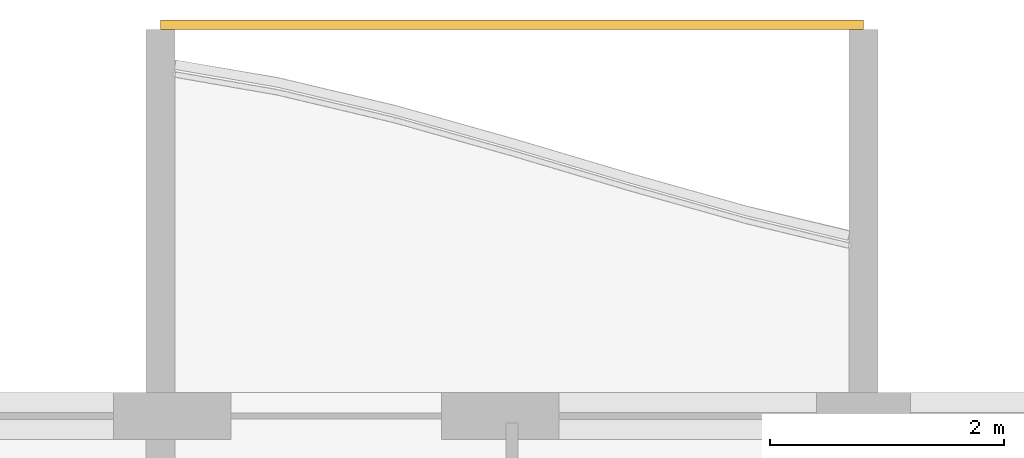
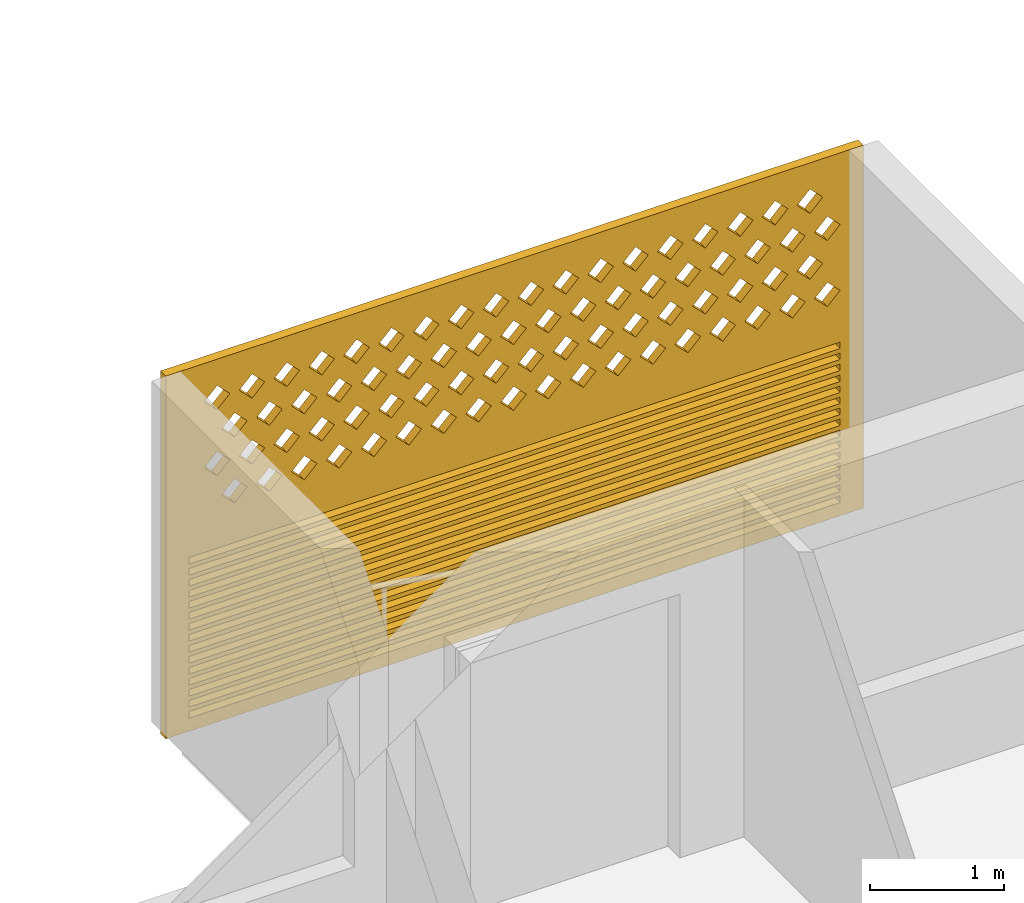
# One storey, part 21 of 27: 1 covering.
"""IFC4 building model written with IfcOpenShell, lengths in metres."""

from ifc_helpers import new_model, si_unit, direction, frame, origin, place, context, subcontext, project, spatial, polyline, outline, extrude, source, transform, mapped, material, material_profile, profile_set, type_object, element, save


model = new_model("IFC4")

# Units and contexts
model_context = context("Model", 3, precision=1e-05, world=origin(), true_north=direction((0.0, 1.0)))
body_context = subcontext(model_context, "Body", "Model", "MODEL_VIEW")
ifc_project = project(units=[si_unit("LENGTHUNIT", "METRE"), si_unit("AREAUNIT", "SQUARE_METRE"), si_unit("VOLUMEUNIT", "CUBIC_METRE"), si_unit("PLANEANGLEUNIT", "RADIAN"), si_unit("MASSUNIT", "GRAM", prefix="KILO")], contexts=[model_context])

# Site, building, storey
site_placement = place(None, origin())
site = spatial("IfcSite", under=ifc_project, at=site_placement, CompositionType="ELEMENT")
building_placement = place(site_placement, origin())
building = spatial("IfcBuilding", under=site, at=building_placement, Name="Poui Terraces", CompositionType="ELEMENT")
storey_placement = place(building_placement, frame((0.0, 0.0, 191.699951171875)))
storey = spatial("IfcBuildingStorey", under=building, at=storey_placement, Name="L53", CompositionType="ELEMENT", Elevation=191.699951171875)

# Covering
ifc_material = material(Name="Terracotta screen", Category="masonry")
ifc_material_profile = material_profile(ifc_material, outline(polyline([(-3.0, -1.64990234375), (3.0, -1.64990234375), (3.0, 1.64990234375), (-3.0, 1.64990234375), (-3.0, -1.64990234375)]), holes=[polyline([(-2.800048828125, 0.39990234375), (-2.68994140625, 0.2900390625), (-2.580078125, 0.39990234375), (-2.68994140625, 0.510009765625), (-2.800048828125, 0.39990234375)]), polyline([(-2.5, 0.39990234375), (-2.389892578125, 0.2900390625), (-2.280029296875, 0.39990234375), (-2.389892578125, 0.510009765625), (-2.5, 0.39990234375)]), polyline([(-2.199951171875, 0.39990234375), (-2.090087890625, 0.2900390625), (-1.97998046875, 0.39990234375), (-2.090087890625, 0.510009765625), (-2.199951171875, 0.39990234375)]), polyline([(-1.89990234375, 0.39990234375), (-1.7900390625, 0.2900390625), (-1.679931640625, 0.39990234375), (-1.7900390625, 0.510009765625), (-1.89990234375, 0.39990234375)]), polyline([(-1.60009765625, 0.39990234375), (-1.489990234375, 0.2900390625), (-1.3798828125, 0.39990234375), (-1.489990234375, 0.510009765625), (-1.60009765625, 0.39990234375)]), polyline([(-1.300048828125, 0.39990234375), (-1.18994140625, 0.2900390625), (-1.080078125, 0.39990234375), (-1.18994140625, 0.510009765625), (-1.300048828125, 0.39990234375)]), polyline([(-1.0, 0.39990234375), (-0.889892578125, 0.2900390625), (-0.780029296875, 0.39990234375), (-0.889892578125, 0.510009765625), (-1.0, 0.39990234375)]), polyline([(-0.699951171875, 0.39990234375), (-0.590087890625, 0.2900390625), (-0.47998046875, 0.39990234375), (-0.590087890625, 0.510009765625), (-0.699951171875, 0.39990234375)]), polyline([(-0.39990234375, 0.39990234375), (-0.2900390625, 0.2900390625), (-0.179931640625, 0.39990234375), (-0.2900390625, 0.510009765625), (-0.39990234375, 0.39990234375)]), polyline([(-0.10009765625, 0.39990234375), (0.010009765625, 0.2900390625), (0.1201171875, 0.39990234375), (0.010009765625, 0.510009765625), (-0.10009765625, 0.39990234375)]), polyline([(0.199951171875, 0.39990234375), (0.31005859375, 0.2900390625), (0.419921875, 0.39990234375), (0.31005859375, 0.510009765625), (0.199951171875, 0.39990234375)]), polyline([(0.5, 0.39990234375), (0.610107421875, 0.2900390625), (0.719970703125, 0.39990234375), (0.610107421875, 0.510009765625), (0.5, 0.39990234375)]), polyline([(0.800048828125, 0.39990234375), (0.909912109375, 0.2900390625), (1.02001953125, 0.39990234375), (0.909912109375, 0.510009765625), (0.800048828125, 0.39990234375)]), polyline([(1.10009765625, 0.39990234375), (1.2099609375, 0.2900390625), (1.320068359375, 0.39990234375), (1.2099609375, 0.510009765625), (1.10009765625, 0.39990234375)]), polyline([(1.39990234375, 0.39990234375), (1.510009765625, 0.2900390625), (1.6201171875, 0.39990234375), (1.510009765625, 0.510009765625), (1.39990234375, 0.39990234375)]), polyline([(1.699951171875, 0.39990234375), (1.81005859375, 0.2900390625), (1.919921875, 0.39990234375), (1.81005859375, 0.510009765625), (1.699951171875, 0.39990234375)]), polyline([(2.0, 0.39990234375), (2.110107421875, 0.2900390625), (2.219970703125, 0.39990234375), (2.110107421875, 0.510009765625), (2.0, 0.39990234375)]), polyline([(2.300048828125, 0.39990234375), (2.409912109375, 0.2900390625), (2.52001953125, 0.39990234375), (2.409912109375, 0.510009765625), (2.300048828125, 0.39990234375)]), polyline([(-2.64990234375, 0.699951171875), (-2.5400390625, 0.590087890625), (-2.429931640625, 0.699951171875), (-2.5400390625, 0.81005859375), (-2.64990234375, 0.699951171875)]), polyline([(-2.35009765625, 0.699951171875), (-2.239990234375, 0.590087890625), (-2.1298828125, 0.699951171875), (-2.239990234375, 0.81005859375), (-2.35009765625, 0.699951171875)]), polyline([(-2.050048828125, 0.699951171875), (-1.93994140625, 0.590087890625), (-1.830078125, 0.699951171875), (-1.93994140625, 0.81005859375), (-2.050048828125, 0.699951171875)]), polyline([(-1.75, 0.699951171875), (-1.639892578125, 0.590087890625), (-1.530029296875, 0.699951171875), (-1.639892578125, 0.81005859375), (-1.75, 0.699951171875)]), polyline([(-1.449951171875, 0.699951171875), (-1.340087890625, 0.590087890625), (-1.22998046875, 0.699951171875), (-1.340087890625, 0.81005859375), (-1.449951171875, 0.699951171875)]), polyline([(-1.14990234375, 0.699951171875), (-1.0400390625, 0.590087890625), (-0.929931640625, 0.699951171875), (-1.0400390625, 0.81005859375), (-1.14990234375, 0.699951171875)]), polyline([(-0.85009765625, 0.699951171875), (-0.739990234375, 0.590087890625), (-0.6298828125, 0.699951171875), (-0.739990234375, 0.81005859375), (-0.85009765625, 0.699951171875)]), polyline([(-0.550048828125, 0.699951171875), (-0.43994140625, 0.590087890625), (-0.330078125, 0.699951171875), (-0.43994140625, 0.81005859375), (-0.550048828125, 0.699951171875)]), polyline([(-0.25, 0.699951171875), (-0.139892578125, 0.590087890625), (-0.030029296875, 0.699951171875), (-0.139892578125, 0.81005859375), (-0.25, 0.699951171875)]), polyline([(0.050048828125, 0.699951171875), (0.159912109375, 0.590087890625), (0.27001953125, 0.699951171875), (0.159912109375, 0.81005859375), (0.050048828125, 0.699951171875)]), polyline([(0.35009765625, 0.699951171875), (0.4599609375, 0.590087890625), (0.570068359375, 0.699951171875), (0.4599609375, 0.81005859375), (0.35009765625, 0.699951171875)]), polyline([(0.64990234375, 0.699951171875), (0.760009765625, 0.590087890625), (0.8701171875, 0.699951171875), (0.760009765625, 0.81005859375), (0.64990234375, 0.699951171875)]), polyline([(0.949951171875, 0.699951171875), (1.06005859375, 0.590087890625), (1.169921875, 0.699951171875), (1.06005859375, 0.81005859375), (0.949951171875, 0.699951171875)]), polyline([(1.25, 0.699951171875), (1.360107421875, 0.590087890625), (1.469970703125, 0.699951171875), (1.360107421875, 0.81005859375), (1.25, 0.699951171875)]), polyline([(1.550048828125, 0.699951171875), (1.659912109375, 0.590087890625), (1.77001953125, 0.699951171875), (1.659912109375, 0.81005859375), (1.550048828125, 0.699951171875)]), polyline([(1.85009765625, 0.699951171875), (1.9599609375, 0.590087890625), (2.070068359375, 0.699951171875), (1.9599609375, 0.81005859375), (1.85009765625, 0.699951171875)]), polyline([(2.14990234375, 0.699951171875), (2.260009765625, 0.590087890625), (2.3701171875, 0.699951171875), (2.260009765625, 0.81005859375), (2.14990234375, 0.699951171875)]), polyline([(2.449951171875, 0.699951171875), (2.56005859375, 0.590087890625), (2.669921875, 0.699951171875), (2.56005859375, 0.81005859375), (2.449951171875, 0.699951171875)]), polyline([(-2.800048828125, 1.0), (-2.68994140625, 0.889892578125), (-2.580078125, 1.0), (-2.68994140625, 1.110107421875), (-2.800048828125, 1.0)]), polyline([(-2.5, 1.0), (-2.389892578125, 0.889892578125), (-2.280029296875, 1.0), (-2.389892578125, 1.110107421875), (-2.5, 1.0)]), polyline([(-2.199951171875, 1.0), (-2.090087890625, 0.889892578125), (-1.97998046875, 1.0), (-2.090087890625, 1.110107421875), (-2.199951171875, 1.0)]), polyline([(-1.89990234375, 1.0), (-1.7900390625, 0.889892578125), (-1.679931640625, 1.0), (-1.7900390625, 1.110107421875), (-1.89990234375, 1.0)]), polyline([(-1.60009765625, 1.0), (-1.489990234375, 0.889892578125), (-1.3798828125, 1.0), (-1.489990234375, 1.110107421875), (-1.60009765625, 1.0)]), polyline([(-1.300048828125, 1.0), (-1.18994140625, 0.889892578125), (-1.080078125, 1.0), (-1.18994140625, 1.110107421875), (-1.300048828125, 1.0)]), polyline([(-1.0, 1.0), (-0.889892578125, 0.889892578125), (-0.780029296875, 1.0), (-0.889892578125, 1.110107421875), (-1.0, 1.0)]), polyline([(-0.699951171875, 1.0), (-0.590087890625, 0.889892578125), (-0.47998046875, 1.0), (-0.590087890625, 1.110107421875), (-0.699951171875, 1.0)]), polyline([(-0.39990234375, 1.0), (-0.2900390625, 0.889892578125), (-0.179931640625, 1.0), (-0.2900390625, 1.110107421875), (-0.39990234375, 1.0)]), polyline([(-0.10009765625, 1.0), (0.010009765625, 0.889892578125), (0.1201171875, 1.0), (0.010009765625, 1.110107421875), (-0.10009765625, 1.0)]), polyline([(0.199951171875, 1.0), (0.31005859375, 0.889892578125), (0.419921875, 1.0), (0.31005859375, 1.110107421875), (0.199951171875, 1.0)]), polyline([(0.5, 1.0), (0.610107421875, 0.889892578125), (0.719970703125, 1.0), (0.610107421875, 1.110107421875), (0.5, 1.0)]), polyline([(0.800048828125, 1.0), (0.909912109375, 0.889892578125), (1.02001953125, 1.0), (0.909912109375, 1.110107421875), (0.800048828125, 1.0)]), polyline([(1.10009765625, 1.0), (1.2099609375, 0.889892578125), (1.320068359375, 1.0), (1.2099609375, 1.110107421875), (1.10009765625, 1.0)]), polyline([(1.39990234375, 1.0), (1.510009765625, 0.889892578125), (1.6201171875, 1.0), (1.510009765625, 1.110107421875), (1.39990234375, 1.0)]), polyline([(1.699951171875, 1.0), (1.81005859375, 0.889892578125), (1.919921875, 1.0), (1.81005859375, 1.110107421875), (1.699951171875, 1.0)]), polyline([(2.0, 1.0), (2.110107421875, 0.889892578125), (2.219970703125, 1.0), (2.110107421875, 1.110107421875), (2.0, 1.0)]), polyline([(2.300048828125, 1.0), (2.409912109375, 0.889892578125), (2.52001953125, 1.0), (2.409912109375, 1.110107421875), (2.300048828125, 1.0)]), polyline([(-2.64990234375, 1.300048828125), (-2.5400390625, 1.18994140625), (-2.429931640625, 1.300048828125), (-2.5400390625, 1.409912109375), (-2.64990234375, 1.300048828125)]), polyline([(-2.35009765625, 1.300048828125), (-2.239990234375, 1.18994140625), (-2.1298828125, 1.300048828125), (-2.239990234375, 1.409912109375), (-2.35009765625, 1.300048828125)]), polyline([(-2.050048828125, 1.300048828125), (-1.93994140625, 1.18994140625), (-1.830078125, 1.300048828125), (-1.93994140625, 1.409912109375), (-2.050048828125, 1.300048828125)]), polyline([(-1.75, 1.300048828125), (-1.639892578125, 1.18994140625), (-1.530029296875, 1.300048828125), (-1.639892578125, 1.409912109375), (-1.75, 1.300048828125)]), polyline([(-1.449951171875, 1.300048828125), (-1.340087890625, 1.18994140625), (-1.22998046875, 1.300048828125), (-1.340087890625, 1.409912109375), (-1.449951171875, 1.300048828125)]), polyline([(-1.14990234375, 1.300048828125), (-1.0400390625, 1.18994140625), (-0.929931640625, 1.300048828125), (-1.0400390625, 1.409912109375), (-1.14990234375, 1.300048828125)]), polyline([(-0.85009765625, 1.300048828125), (-0.739990234375, 1.18994140625), (-0.6298828125, 1.300048828125), (-0.739990234375, 1.409912109375), (-0.85009765625, 1.300048828125)]), polyline([(-0.550048828125, 1.300048828125), (-0.43994140625, 1.18994140625), (-0.330078125, 1.300048828125), (-0.43994140625, 1.409912109375), (-0.550048828125, 1.300048828125)]), polyline([(-0.25, 1.300048828125), (-0.139892578125, 1.18994140625), (-0.030029296875, 1.300048828125), (-0.139892578125, 1.409912109375), (-0.25, 1.300048828125)]), polyline([(0.050048828125, 1.300048828125), (0.159912109375, 1.18994140625), (0.27001953125, 1.300048828125), (0.159912109375, 1.409912109375), (0.050048828125, 1.300048828125)]), polyline([(0.35009765625, 1.300048828125), (0.4599609375, 1.18994140625), (0.570068359375, 1.300048828125), (0.4599609375, 1.409912109375), (0.35009765625, 1.300048828125)]), polyline([(0.64990234375, 1.300048828125), (0.760009765625, 1.18994140625), (0.8701171875, 1.300048828125), (0.760009765625, 1.409912109375), (0.64990234375, 1.300048828125)]), polyline([(0.949951171875, 1.300048828125), (1.06005859375, 1.18994140625), (1.169921875, 1.300048828125), (1.06005859375, 1.409912109375), (0.949951171875, 1.300048828125)]), polyline([(1.25, 1.300048828125), (1.360107421875, 1.18994140625), (1.469970703125, 1.300048828125), (1.360107421875, 1.409912109375), (1.25, 1.300048828125)]), polyline([(1.550048828125, 1.300048828125), (1.659912109375, 1.18994140625), (1.77001953125, 1.300048828125), (1.659912109375, 1.409912109375), (1.550048828125, 1.300048828125)]), polyline([(1.85009765625, 1.300048828125), (1.9599609375, 1.18994140625), (2.070068359375, 1.300048828125), (1.9599609375, 1.409912109375), (1.85009765625, 1.300048828125)]), polyline([(2.14990234375, 1.300048828125), (2.260009765625, 1.18994140625), (2.3701171875, 1.300048828125), (2.260009765625, 1.409912109375), (2.14990234375, 1.300048828125)]), polyline([(2.449951171875, 1.300048828125), (2.56005859375, 1.18994140625), (2.669921875, 1.300048828125), (2.56005859375, 1.409912109375), (2.449951171875, 1.300048828125)]), polyline([(-2.800048828125, -1.530029296875), (2.800048828125, -1.530029296875), (2.800048828125, -1.469970703125), (-2.800048828125, -1.469970703125), (-2.800048828125, -1.530029296875)]), polyline([(-2.800048828125, -1.429931640625), (2.800048828125, -1.429931640625), (2.800048828125, -1.3701171875), (-2.800048828125, -1.3701171875), (-2.800048828125, -1.429931640625)]), polyline([(-2.800048828125, -1.330078125), (2.800048828125, -1.330078125), (2.800048828125, -1.27001953125), (-2.800048828125, -1.27001953125), (-2.800048828125, -1.330078125)]), polyline([(-2.800048828125, -1.22998046875), (2.800048828125, -1.22998046875), (2.800048828125, -1.169921875), (-2.800048828125, -1.169921875), (-2.800048828125, -1.22998046875)]), polyline([(-2.800048828125, -1.1298828125), (2.800048828125, -1.1298828125), (2.800048828125, -1.070068359375), (-2.800048828125, -1.070068359375), (-2.800048828125, -1.1298828125)]), polyline([(-2.800048828125, -1.030029296875), (2.800048828125, -1.030029296875), (2.800048828125, -0.969970703125), (-2.800048828125, -0.969970703125), (-2.800048828125, -1.030029296875)]), polyline([(-2.800048828125, -0.929931640625), (2.800048828125, -0.929931640625), (2.800048828125, -0.8701171875), (-2.800048828125, -0.8701171875), (-2.800048828125, -0.929931640625)]), polyline([(-2.800048828125, -0.830078125), (2.800048828125, -0.830078125), (2.800048828125, -0.77001953125), (-2.800048828125, -0.77001953125), (-2.800048828125, -0.830078125)]), polyline([(-2.800048828125, -0.72998046875), (2.800048828125, -0.72998046875), (2.800048828125, -0.669921875), (-2.800048828125, -0.669921875), (-2.800048828125, -0.72998046875)]), polyline([(-2.800048828125, -0.6298828125), (2.800048828125, -0.6298828125), (2.800048828125, -0.570068359375), (-2.800048828125, -0.570068359375), (-2.800048828125, -0.6298828125)]), polyline([(-2.800048828125, -0.530029296875), (2.800048828125, -0.530029296875), (2.800048828125, -0.469970703125), (-2.800048828125, -0.469970703125), (-2.800048828125, -0.530029296875)]), polyline([(-2.800048828125, -0.429931640625), (2.800048828125, -0.429931640625), (2.800048828125, -0.3701171875), (-2.800048828125, -0.3701171875), (-2.800048828125, -0.429931640625)]), polyline([(-2.800048828125, -0.330078125), (2.800048828125, -0.330078125), (2.800048828125, -0.27001953125), (-2.800048828125, -0.27001953125), (-2.800048828125, -0.330078125)]), polyline([(-2.800048828125, -0.22998046875), (2.800048828125, -0.22998046875), (2.800048828125, -0.169921875), (-2.800048828125, -0.169921875), (-2.800048828125, -0.22998046875)]), polyline([(-2.800048828125, -0.1298828125), (2.800048828125, -0.1298828125), (2.800048828125, -0.070068359375), (-2.800048828125, -0.070068359375), (-2.800048828125, -0.1298828125)])]), Name="TERRACOTTA SCREEN AND JALOUSIE LOUVRE 6000X3300")
ifc_profile_set = profile_set([ifc_material_profile], Name="Terracotta screen")
covering_type = type_object("IfcCoveringType", Name="TERRACOTTA SCREEN AND JALOUSIE LOUVRE 6000X3300", PredefinedType="CLADDING", material=ifc_profile_set)
shared_shape = source(origin(), body_context, "Body", "SweptSolid", [
    extrude(outline(polyline([(-3.0, -1.64990234375), (3.0, -1.64990234375), (3.0, 1.64990234375), (-3.0, 1.64990234375), (-3.0, -1.64990234375)]), holes=[polyline([(-2.800048828125, 0.39990234375), (-2.68994140625, 0.2900390625), (-2.580078125, 0.39990234375), (-2.68994140625, 0.510009765625), (-2.800048828125, 0.39990234375)]), polyline([(-2.5, 0.39990234375), (-2.389892578125, 0.2900390625), (-2.280029296875, 0.39990234375), (-2.389892578125, 0.510009765625), (-2.5, 0.39990234375)]), polyline([(-2.199951171875, 0.39990234375), (-2.090087890625, 0.2900390625), (-1.97998046875, 0.39990234375), (-2.090087890625, 0.510009765625), (-2.199951171875, 0.39990234375)]), polyline([(-1.89990234375, 0.39990234375), (-1.7900390625, 0.2900390625), (-1.679931640625, 0.39990234375), (-1.7900390625, 0.510009765625), (-1.89990234375, 0.39990234375)]), polyline([(-1.60009765625, 0.39990234375), (-1.489990234375, 0.2900390625), (-1.3798828125, 0.39990234375), (-1.489990234375, 0.510009765625), (-1.60009765625, 0.39990234375)]), polyline([(-1.300048828125, 0.39990234375), (-1.18994140625, 0.2900390625), (-1.080078125, 0.39990234375), (-1.18994140625, 0.510009765625), (-1.300048828125, 0.39990234375)]), polyline([(-1.0, 0.39990234375), (-0.889892578125, 0.2900390625), (-0.780029296875, 0.39990234375), (-0.889892578125, 0.510009765625), (-1.0, 0.39990234375)]), polyline([(-0.699951171875, 0.39990234375), (-0.590087890625, 0.2900390625), (-0.47998046875, 0.39990234375), (-0.590087890625, 0.510009765625), (-0.699951171875, 0.39990234375)]), polyline([(-0.39990234375, 0.39990234375), (-0.2900390625, 0.2900390625), (-0.179931640625, 0.39990234375), (-0.2900390625, 0.510009765625), (-0.39990234375, 0.39990234375)]), polyline([(-0.10009765625, 0.39990234375), (0.010009765625, 0.2900390625), (0.1201171875, 0.39990234375), (0.010009765625, 0.510009765625), (-0.10009765625, 0.39990234375)]), polyline([(0.199951171875, 0.39990234375), (0.31005859375, 0.2900390625), (0.419921875, 0.39990234375), (0.31005859375, 0.510009765625), (0.199951171875, 0.39990234375)]), polyline([(0.5, 0.39990234375), (0.610107421875, 0.2900390625), (0.719970703125, 0.39990234375), (0.610107421875, 0.510009765625), (0.5, 0.39990234375)]), polyline([(0.800048828125, 0.39990234375), (0.909912109375, 0.2900390625), (1.02001953125, 0.39990234375), (0.909912109375, 0.510009765625), (0.800048828125, 0.39990234375)]), polyline([(1.10009765625, 0.39990234375), (1.2099609375, 0.2900390625), (1.320068359375, 0.39990234375), (1.2099609375, 0.510009765625), (1.10009765625, 0.39990234375)]), polyline([(1.39990234375, 0.39990234375), (1.510009765625, 0.2900390625), (1.6201171875, 0.39990234375), (1.510009765625, 0.510009765625), (1.39990234375, 0.39990234375)]), polyline([(1.699951171875, 0.39990234375), (1.81005859375, 0.2900390625), (1.919921875, 0.39990234375), (1.81005859375, 0.510009765625), (1.699951171875, 0.39990234375)]), polyline([(2.0, 0.39990234375), (2.110107421875, 0.2900390625), (2.219970703125, 0.39990234375), (2.110107421875, 0.510009765625), (2.0, 0.39990234375)]), polyline([(2.300048828125, 0.39990234375), (2.409912109375, 0.2900390625), (2.52001953125, 0.39990234375), (2.409912109375, 0.510009765625), (2.300048828125, 0.39990234375)]), polyline([(-2.64990234375, 0.699951171875), (-2.5400390625, 0.590087890625), (-2.429931640625, 0.699951171875), (-2.5400390625, 0.81005859375), (-2.64990234375, 0.699951171875)]), polyline([(-2.35009765625, 0.699951171875), (-2.239990234375, 0.590087890625), (-2.1298828125, 0.699951171875), (-2.239990234375, 0.81005859375), (-2.35009765625, 0.699951171875)]), polyline([(-2.050048828125, 0.699951171875), (-1.93994140625, 0.590087890625), (-1.830078125, 0.699951171875), (-1.93994140625, 0.81005859375), (-2.050048828125, 0.699951171875)]), polyline([(-1.75, 0.699951171875), (-1.639892578125, 0.590087890625), (-1.530029296875, 0.699951171875), (-1.639892578125, 0.81005859375), (-1.75, 0.699951171875)]), polyline([(-1.449951171875, 0.699951171875), (-1.340087890625, 0.590087890625), (-1.22998046875, 0.699951171875), (-1.340087890625, 0.81005859375), (-1.449951171875, 0.699951171875)]), polyline([(-1.14990234375, 0.699951171875), (-1.0400390625, 0.590087890625), (-0.929931640625, 0.699951171875), (-1.0400390625, 0.81005859375), (-1.14990234375, 0.699951171875)]), polyline([(-0.85009765625, 0.699951171875), (-0.739990234375, 0.590087890625), (-0.6298828125, 0.699951171875), (-0.739990234375, 0.81005859375), (-0.85009765625, 0.699951171875)]), polyline([(-0.550048828125, 0.699951171875), (-0.43994140625, 0.590087890625), (-0.330078125, 0.699951171875), (-0.43994140625, 0.81005859375), (-0.550048828125, 0.699951171875)]), polyline([(-0.25, 0.699951171875), (-0.139892578125, 0.590087890625), (-0.030029296875, 0.699951171875), (-0.139892578125, 0.81005859375), (-0.25, 0.699951171875)]), polyline([(0.050048828125, 0.699951171875), (0.159912109375, 0.590087890625), (0.27001953125, 0.699951171875), (0.159912109375, 0.81005859375), (0.050048828125, 0.699951171875)]), polyline([(0.35009765625, 0.699951171875), (0.4599609375, 0.590087890625), (0.570068359375, 0.699951171875), (0.4599609375, 0.81005859375), (0.35009765625, 0.699951171875)]), polyline([(0.64990234375, 0.699951171875), (0.760009765625, 0.590087890625), (0.8701171875, 0.699951171875), (0.760009765625, 0.81005859375), (0.64990234375, 0.699951171875)]), polyline([(0.949951171875, 0.699951171875), (1.06005859375, 0.590087890625), (1.169921875, 0.699951171875), (1.06005859375, 0.81005859375), (0.949951171875, 0.699951171875)]), polyline([(1.25, 0.699951171875), (1.360107421875, 0.590087890625), (1.469970703125, 0.699951171875), (1.360107421875, 0.81005859375), (1.25, 0.699951171875)]), polyline([(1.550048828125, 0.699951171875), (1.659912109375, 0.590087890625), (1.77001953125, 0.699951171875), (1.659912109375, 0.81005859375), (1.550048828125, 0.699951171875)]), polyline([(1.85009765625, 0.699951171875), (1.9599609375, 0.590087890625), (2.070068359375, 0.699951171875), (1.9599609375, 0.81005859375), (1.85009765625, 0.699951171875)]), polyline([(2.14990234375, 0.699951171875), (2.260009765625, 0.590087890625), (2.3701171875, 0.699951171875), (2.260009765625, 0.81005859375), (2.14990234375, 0.699951171875)]), polyline([(2.449951171875, 0.699951171875), (2.56005859375, 0.590087890625), (2.669921875, 0.699951171875), (2.56005859375, 0.81005859375), (2.449951171875, 0.699951171875)]), polyline([(-2.800048828125, 1.0), (-2.68994140625, 0.889892578125), (-2.580078125, 1.0), (-2.68994140625, 1.110107421875), (-2.800048828125, 1.0)]), polyline([(-2.5, 1.0), (-2.389892578125, 0.889892578125), (-2.280029296875, 1.0), (-2.389892578125, 1.110107421875), (-2.5, 1.0)]), polyline([(-2.199951171875, 1.0), (-2.090087890625, 0.889892578125), (-1.97998046875, 1.0), (-2.090087890625, 1.110107421875), (-2.199951171875, 1.0)]), polyline([(-1.89990234375, 1.0), (-1.7900390625, 0.889892578125), (-1.679931640625, 1.0), (-1.7900390625, 1.110107421875), (-1.89990234375, 1.0)]), polyline([(-1.60009765625, 1.0), (-1.489990234375, 0.889892578125), (-1.3798828125, 1.0), (-1.489990234375, 1.110107421875), (-1.60009765625, 1.0)]), polyline([(-1.300048828125, 1.0), (-1.18994140625, 0.889892578125), (-1.080078125, 1.0), (-1.18994140625, 1.110107421875), (-1.300048828125, 1.0)]), polyline([(-1.0, 1.0), (-0.889892578125, 0.889892578125), (-0.780029296875, 1.0), (-0.889892578125, 1.110107421875), (-1.0, 1.0)]), polyline([(-0.699951171875, 1.0), (-0.590087890625, 0.889892578125), (-0.47998046875, 1.0), (-0.590087890625, 1.110107421875), (-0.699951171875, 1.0)]), polyline([(-0.39990234375, 1.0), (-0.2900390625, 0.889892578125), (-0.179931640625, 1.0), (-0.2900390625, 1.110107421875), (-0.39990234375, 1.0)]), polyline([(-0.10009765625, 1.0), (0.010009765625, 0.889892578125), (0.1201171875, 1.0), (0.010009765625, 1.110107421875), (-0.10009765625, 1.0)]), polyline([(0.199951171875, 1.0), (0.31005859375, 0.889892578125), (0.419921875, 1.0), (0.31005859375, 1.110107421875), (0.199951171875, 1.0)]), polyline([(0.5, 1.0), (0.610107421875, 0.889892578125), (0.719970703125, 1.0), (0.610107421875, 1.110107421875), (0.5, 1.0)]), polyline([(0.800048828125, 1.0), (0.909912109375, 0.889892578125), (1.02001953125, 1.0), (0.909912109375, 1.110107421875), (0.800048828125, 1.0)]), polyline([(1.10009765625, 1.0), (1.2099609375, 0.889892578125), (1.320068359375, 1.0), (1.2099609375, 1.110107421875), (1.10009765625, 1.0)]), polyline([(1.39990234375, 1.0), (1.510009765625, 0.889892578125), (1.6201171875, 1.0), (1.510009765625, 1.110107421875), (1.39990234375, 1.0)]), polyline([(1.699951171875, 1.0), (1.81005859375, 0.889892578125), (1.919921875, 1.0), (1.81005859375, 1.110107421875), (1.699951171875, 1.0)]), polyline([(2.0, 1.0), (2.110107421875, 0.889892578125), (2.219970703125, 1.0), (2.110107421875, 1.110107421875), (2.0, 1.0)]), polyline([(2.300048828125, 1.0), (2.409912109375, 0.889892578125), (2.52001953125, 1.0), (2.409912109375, 1.110107421875), (2.300048828125, 1.0)]), polyline([(-2.64990234375, 1.300048828125), (-2.5400390625, 1.18994140625), (-2.429931640625, 1.300048828125), (-2.5400390625, 1.409912109375), (-2.64990234375, 1.300048828125)]), polyline([(-2.35009765625, 1.300048828125), (-2.239990234375, 1.18994140625), (-2.1298828125, 1.300048828125), (-2.239990234375, 1.409912109375), (-2.35009765625, 1.300048828125)]), polyline([(-2.050048828125, 1.300048828125), (-1.93994140625, 1.18994140625), (-1.830078125, 1.300048828125), (-1.93994140625, 1.409912109375), (-2.050048828125, 1.300048828125)]), polyline([(-1.75, 1.300048828125), (-1.639892578125, 1.18994140625), (-1.530029296875, 1.300048828125), (-1.639892578125, 1.409912109375), (-1.75, 1.300048828125)]), polyline([(-1.449951171875, 1.300048828125), (-1.340087890625, 1.18994140625), (-1.22998046875, 1.300048828125), (-1.340087890625, 1.409912109375), (-1.449951171875, 1.300048828125)]), polyline([(-1.14990234375, 1.300048828125), (-1.0400390625, 1.18994140625), (-0.929931640625, 1.300048828125), (-1.0400390625, 1.409912109375), (-1.14990234375, 1.300048828125)]), polyline([(-0.85009765625, 1.300048828125), (-0.739990234375, 1.18994140625), (-0.6298828125, 1.300048828125), (-0.739990234375, 1.409912109375), (-0.85009765625, 1.300048828125)]), polyline([(-0.550048828125, 1.300048828125), (-0.43994140625, 1.18994140625), (-0.330078125, 1.300048828125), (-0.43994140625, 1.409912109375), (-0.550048828125, 1.300048828125)]), polyline([(-0.25, 1.300048828125), (-0.139892578125, 1.18994140625), (-0.030029296875, 1.300048828125), (-0.139892578125, 1.409912109375), (-0.25, 1.300048828125)]), polyline([(0.050048828125, 1.300048828125), (0.159912109375, 1.18994140625), (0.27001953125, 1.300048828125), (0.159912109375, 1.409912109375), (0.050048828125, 1.300048828125)]), polyline([(0.35009765625, 1.300048828125), (0.4599609375, 1.18994140625), (0.570068359375, 1.300048828125), (0.4599609375, 1.409912109375), (0.35009765625, 1.300048828125)]), polyline([(0.64990234375, 1.300048828125), (0.760009765625, 1.18994140625), (0.8701171875, 1.300048828125), (0.760009765625, 1.409912109375), (0.64990234375, 1.300048828125)]), polyline([(0.949951171875, 1.300048828125), (1.06005859375, 1.18994140625), (1.169921875, 1.300048828125), (1.06005859375, 1.409912109375), (0.949951171875, 1.300048828125)]), polyline([(1.25, 1.300048828125), (1.360107421875, 1.18994140625), (1.469970703125, 1.300048828125), (1.360107421875, 1.409912109375), (1.25, 1.300048828125)]), polyline([(1.550048828125, 1.300048828125), (1.659912109375, 1.18994140625), (1.77001953125, 1.300048828125), (1.659912109375, 1.409912109375), (1.550048828125, 1.300048828125)]), polyline([(1.85009765625, 1.300048828125), (1.9599609375, 1.18994140625), (2.070068359375, 1.300048828125), (1.9599609375, 1.409912109375), (1.85009765625, 1.300048828125)]), polyline([(2.14990234375, 1.300048828125), (2.260009765625, 1.18994140625), (2.3701171875, 1.300048828125), (2.260009765625, 1.409912109375), (2.14990234375, 1.300048828125)]), polyline([(2.449951171875, 1.300048828125), (2.56005859375, 1.18994140625), (2.669921875, 1.300048828125), (2.56005859375, 1.409912109375), (2.449951171875, 1.300048828125)]), polyline([(-2.800048828125, -1.530029296875), (2.800048828125, -1.530029296875), (2.800048828125, -1.469970703125), (-2.800048828125, -1.469970703125), (-2.800048828125, -1.530029296875)]), polyline([(-2.800048828125, -1.429931640625), (2.800048828125, -1.429931640625), (2.800048828125, -1.3701171875), (-2.800048828125, -1.3701171875), (-2.800048828125, -1.429931640625)]), polyline([(-2.800048828125, -1.330078125), (2.800048828125, -1.330078125), (2.800048828125, -1.27001953125), (-2.800048828125, -1.27001953125), (-2.800048828125, -1.330078125)]), polyline([(-2.800048828125, -1.22998046875), (2.800048828125, -1.22998046875), (2.800048828125, -1.169921875), (-2.800048828125, -1.169921875), (-2.800048828125, -1.22998046875)]), polyline([(-2.800048828125, -1.1298828125), (2.800048828125, -1.1298828125), (2.800048828125, -1.070068359375), (-2.800048828125, -1.070068359375), (-2.800048828125, -1.1298828125)]), polyline([(-2.800048828125, -1.030029296875), (2.800048828125, -1.030029296875), (2.800048828125, -0.969970703125), (-2.800048828125, -0.969970703125), (-2.800048828125, -1.030029296875)]), polyline([(-2.800048828125, -0.929931640625), (2.800048828125, -0.929931640625), (2.800048828125, -0.8701171875), (-2.800048828125, -0.8701171875), (-2.800048828125, -0.929931640625)]), polyline([(-2.800048828125, -0.830078125), (2.800048828125, -0.830078125), (2.800048828125, -0.77001953125), (-2.800048828125, -0.77001953125), (-2.800048828125, -0.830078125)]), polyline([(-2.800048828125, -0.72998046875), (2.800048828125, -0.72998046875), (2.800048828125, -0.669921875), (-2.800048828125, -0.669921875), (-2.800048828125, -0.72998046875)]), polyline([(-2.800048828125, -0.6298828125), (2.800048828125, -0.6298828125), (2.800048828125, -0.570068359375), (-2.800048828125, -0.570068359375), (-2.800048828125, -0.6298828125)]), polyline([(-2.800048828125, -0.530029296875), (2.800048828125, -0.530029296875), (2.800048828125, -0.469970703125), (-2.800048828125, -0.469970703125), (-2.800048828125, -0.530029296875)]), polyline([(-2.800048828125, -0.429931640625), (2.800048828125, -0.429931640625), (2.800048828125, -0.3701171875), (-2.800048828125, -0.3701171875), (-2.800048828125, -0.429931640625)]), polyline([(-2.800048828125, -0.330078125), (2.800048828125, -0.330078125), (2.800048828125, -0.27001953125), (-2.800048828125, -0.27001953125), (-2.800048828125, -0.330078125)]), polyline([(-2.800048828125, -0.22998046875), (2.800048828125, -0.22998046875), (2.800048828125, -0.169921875), (-2.800048828125, -0.169921875), (-2.800048828125, -0.22998046875)]), polyline([(-2.800048828125, -0.1298828125), (2.800048828125, -0.1298828125), (2.800048828125, -0.070068359375), (-2.800048828125, -0.070068359375), (-2.800048828125, -0.1298828125)])]), origin(), (0.0, 0.0, 1.0), 0.080078125),
])
covering_placement = place(storey_placement, frame((45.0, 44.5, 1.449951171875), z_axis=(0.0, 1.0, 0.0), x_axis=(-1.0, 0.0, 0.0)))
element("IfcCovering", 1, at=covering_placement, inside=storey, type_object=covering_type, Name="SOLAR SCREEN AND JALOUSIE LOUVRE", PredefinedType="CLADDING", context=body_context, shape_type="MappedRepresentation", body=[
    mapped(shared_shape, transform((0.0, 0.0, 0.0))),
])

save(model, "model.ifc")
